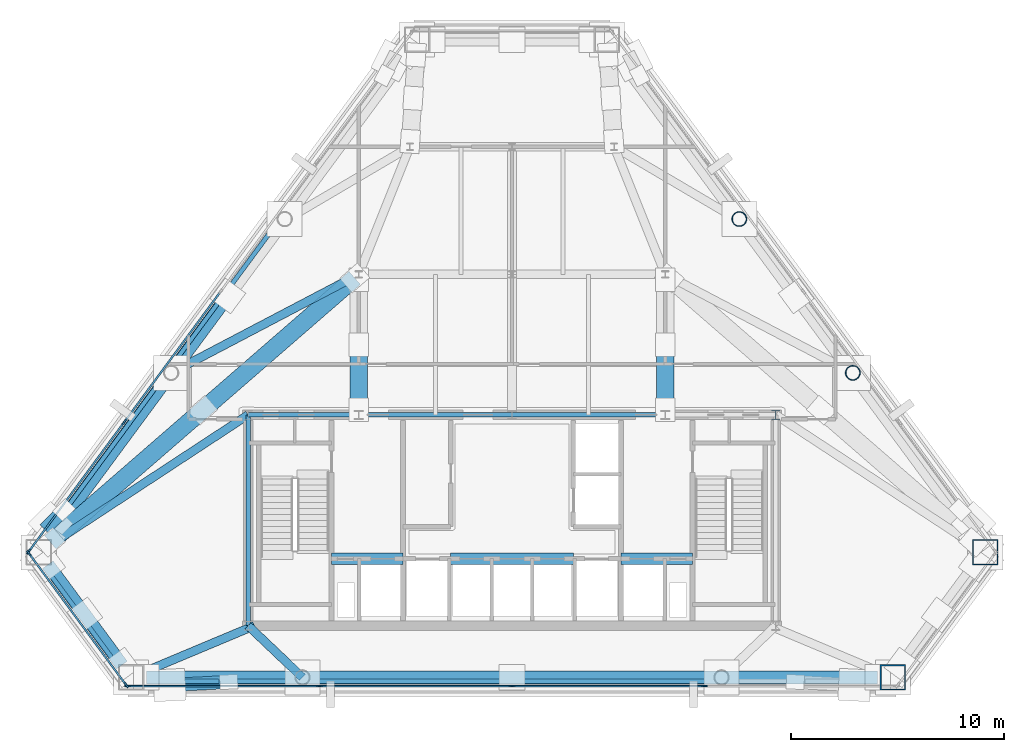
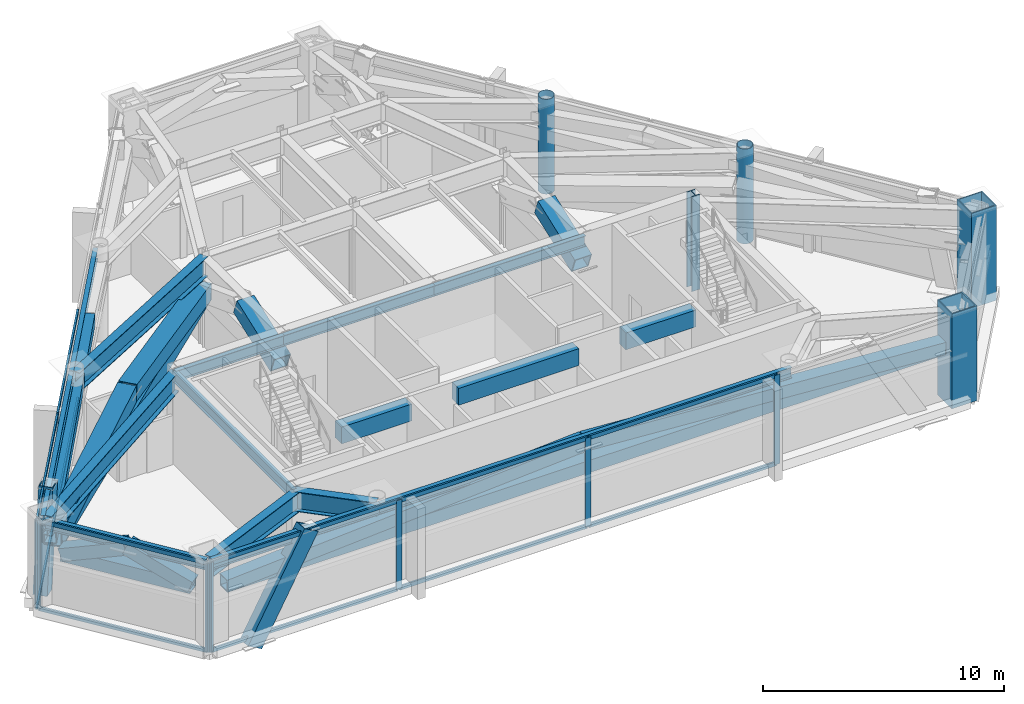
# One storey, part 2 of 10: 34 members, 16 beams, 5 columns, 3 elements without a shape of their own.
"""IFC4 building model written with IfcOpenShell, lengths in metres."""

from ifc_helpers import new_model, si_unit, direction, frame, origin, origin_2d, place, context, subcontext, project, spatial, rectangle, hollow_rectangle, hollow_circle, i_section, extrude, material, layer, layer_set, material_profile, profile_set, type_object, element, aggregate, save


model = new_model("IFC4")

# Units and contexts
model_context = context("Model", 3, precision=1e-05, world=origin(), true_north=direction((0.0, 1.0)))
body_context = subcontext(model_context, "Body", "Model", "MODEL_VIEW")
ifc_project = project(units=[si_unit("LENGTHUNIT", "METRE"), si_unit("AREAUNIT", "SQUARE_METRE"), si_unit("VOLUMEUNIT", "CUBIC_METRE"), si_unit("PLANEANGLEUNIT", "RADIAN"), si_unit("MASSUNIT", "GRAM", prefix="KILO")], contexts=[model_context])

# Site, building, storey
site_placement = place(None, origin())
site = spatial("IfcSite", under=ifc_project, at=site_placement, CompositionType="ELEMENT")
building_placement = place(site_placement, origin())
building = spatial("IfcBuilding", under=site, at=building_placement, Name="Talgorran Terracotta Tower", CompositionType="ELEMENT")
storey_placement = place(building_placement, frame((0.0, 0.0, 168.89990234375)))
storey = spatial("IfcBuildingStorey", under=building, at=storey_placement, Name="L44", CompositionType="ELEMENT", Elevation=168.89990234375)

# Columns
ifc_material_1 = material(Name="Steel S355 (300PLUS)", Category="steel")
ifc_material_profile_1 = material_profile(ifc_material_1, i_section(OverallWidth=0.39990234375, OverallDepth=0.43994140625, WebThickness=0.028076171875, FlangeThickness=0.0400390625, at=origin_2d()), Name="400WC328")
ifc_profile_set_1 = profile_set([ifc_material_profile_1], Name="Steel S355 (300PLUS)")
column_type_1 = type_object("IfcColumnType", Name="COL_400WC328", PredefinedType="COLUMN", material=ifc_profile_set_1)
column_placement = place(storey_placement, frame((12.39990234375, -4.199951171875, 0.0), z_axis=(0.0, 0.0, 1.0), x_axis=(1.0, 0.0, 0.0)))
element("IfcColumn", 1, at=column_placement, inside=storey, type_object=column_type_1, Name="L44 Core Boundary Column CC3", PredefinedType="COLUMN", context=body_context, shape_type="SweptSolid", body=[
    extrude(i_section(OverallWidth=0.39990234375, OverallDepth=0.43994140625, WebThickness=0.028076171875, FlangeThickness=0.0400390625, at=origin_2d()), origin(), (0.0, 0.0, 1.0), 4.800048828125),
])
ifc_material_2 = material(Name="Steel Grade 350 (350L0)", Category="steel")
ifc_material_profile_2 = material_profile(ifc_material_2, hollow_rectangle(XDim=1.199951171875, YDim=1.199951171875, WallThickness=0.054931640625, at=origin_2d()), Name="CFT1200X1200X55")
ifc_profile_set_2 = profile_set([ifc_material_profile_2], Name="Steel Grade 350 (350L0)")
column_type_2 = type_object("IfcColumnType", Name="COL_CFT_1200", PredefinedType="COLUMN", material=ifc_profile_set_2)
for number, where, z_axis, x_axis, name in (
    (2, (17.898193359375, -16.530029296875, 0.0), (0.0, 0.0, 1.0), (1.0, 0.0, 0.0), "L44 Corner CFT Mega-Column MC3"),
    (3, (22.234130859375, -10.654541015625, 0.0), (0.0, 0.0, 1.0), (1.0, 0.0, 0.0), "L44 Corner CFT Mega-Column MC4"),
):
    element("IfcColumn", number, at=place(storey_placement, frame(where, z_axis=z_axis, x_axis=x_axis)), inside=storey, type_object=column_type_2, Name=name, PredefinedType="COLUMN", context=body_context, shape_type="SweptSolid", body=[
        extrude(hollow_rectangle(XDim=1.199951171875, YDim=1.199951171875, WallThickness=0.054931640625, at=origin_2d()), origin(), (0.0, 0.0, 1.0), 4.800048828125),
    ])
ifc_material_profile_3 = material_profile(ifc_material_2, hollow_circle(Radius=0.35009765625, WallThickness=0.030029296875, at=origin_2d()), Name="CHS700X30")
ifc_profile_set_3 = profile_set([ifc_material_profile_3], Name="Steel Grade 350 (350L0)")
column_type_3 = type_object("IfcColumnType", Name="COL_CHS_700", PredefinedType="COLUMN", material=ifc_profile_set_3)
for number, where, z_axis, x_axis, name in (
    (4, (16.01220703125, -2.223388671875, 0.0), (0.0, 0.0, 1.0), (1.0, 0.0, 0.0), "L44 Facet Perimeter Column FC3"),
    (5, (10.67919921875, 5.00341796875, 0.0), (0.0, 0.0, 1.0), (1.0, 0.0, 0.0), "L44 Facet Perimeter Column FC4"),
):
    element("IfcColumn", number, at=place(storey_placement, frame(where, z_axis=z_axis, x_axis=x_axis)), inside=storey, type_object=column_type_3, Name=name, PredefinedType="COLUMN", context=body_context, shape_type="SweptSolid", body=[
        extrude(hollow_circle(Radius=0.35009765625, WallThickness=0.030029296875, at=origin_2d()), origin(), (0.0, 0.0, 1.0), 4.800048828125),
    ])

# Beams
ifc_material_profile_4 = material_profile(ifc_material_2, i_section(OverallWidth=0.39990234375, OverallDepth=1.0, WebThickness=0.01611328125, FlangeThickness=0.031005859375, at=origin_2d()), Name="1000WB296")
ifc_profile_set_4 = profile_set([ifc_material_profile_4], Name="Steel Grade 350 (350L0)")
beam_type_1 = type_object("IfcBeamType", Name="BM_1000WB296", PredefinedType="BEAM", material=ifc_profile_set_4)
beam_1_placement = place(storey_placement, frame((-9.843994140625, -16.530029296875, 4.02001953125), z_axis=(-0.724741849636, 0.689020501426, 0.0), x_axis=(-0.689020501426, -0.724741849636, 0.0)))
element("IfcBeam", 6, at=beam_1_placement, inside=storey, type_object=beam_type_1, Name="L44 South-West Core Tie Beam", PredefinedType="BEAM", context=body_context, shape_type="SweptSolid", body=[
    extrude(i_section(OverallWidth=0.39990234375, OverallDepth=1.0, WebThickness=0.01611328125, FlangeThickness=0.031005859375, at=origin_2d()), origin(), (0.0, 0.0, 1.0), 3.526611328125),
])
beam_2_placement = place(storey_placement, frame((-17.898193359375, -16.530029296875, 4.02001953125), z_axis=(0.922281031819, 0.386519984408, 0.0), x_axis=(-0.386519984408, 0.922281031819, 0.0)))
element("IfcBeam", 7, at=beam_2_placement, inside=storey, type_object=beam_type_1, Name="L44 Perimeter Step Girder 2", PredefinedType="BEAM", context=body_context, shape_type="SweptSolid", body=[
    extrude(i_section(OverallWidth=0.39990234375, OverallDepth=1.0, WebThickness=0.01611328125, FlangeThickness=0.031005859375, at=origin_2d()), origin(), (0.0, 0.0, 1.0), 6.28662109375),
])
beam_3_placement = place(storey_placement, frame((-7.199951171875, 2.39990234375, 4.02001953125), z_axis=(-0.885527866822, -0.464586264414, 0.0), x_axis=(0.464586264414, -0.885527866822, 0.0)))
element("IfcBeam", 8, at=beam_3_placement, inside=storey, type_object=beam_type_1, Name="L44 Floor Girder G06", PredefinedType="BEAM", context=body_context, shape_type="SweptSolid", body=[
    extrude(i_section(OverallWidth=0.39990234375, OverallDepth=1.0, WebThickness=0.01611328125, FlangeThickness=0.031005859375, at=origin_2d()), origin(), (0.0, 0.0, 1.0), 9.951416015625),
])
beam_4_placement = place(storey_placement, frame((-12.39990234375, -4.199951171875, 4.02001953125), z_axis=(-0.836013696093, -0.548708574696, 0.0), x_axis=(0.548708574696, -0.836013696093, 0.0)))
element("IfcBeam", 9, at=beam_4_placement, inside=storey, type_object=beam_type_1, Name="L44 Floor Girder G17", PredefinedType="BEAM", context=body_context, shape_type="SweptSolid", body=[
    extrude(i_section(OverallWidth=0.39990234375, OverallDepth=1.0, WebThickness=0.01611328125, FlangeThickness=0.031005859375, at=origin_2d()), origin(), (0.0, 0.0, 1.0), 11.76318359375),
])
ifc_material_3 = material(Name="Concrete C50/60", Category="concrete")
ifc_material_profile_5 = material_profile(ifc_material_3, rectangle(XDim=0.550048828125, YDim=0.85009765625, at=origin_2d()), Name="RCCB550X850")
ifc_profile_set_5 = profile_set([ifc_material_profile_5], Name="Concrete C50/60")
beam_type_2 = type_object("IfcBeamType", Name="BM_CB_550X850", PredefinedType="LINTEL", material=ifc_profile_set_5)
beam_5_placement = place(storey_placement, frame((-8.47998046875, -10.949951171875, 4.09521484375), z_axis=(1.0, 0.0, 0.0), x_axis=(0.0, 1.0, 0.0)))
element("IfcBeam", 10, at=beam_5_placement, inside=storey, type_object=beam_type_2, Name="L44 Core Shear-Wall Coupling Beam CB1", PredefinedType="LINTEL", context=body_context, shape_type="SweptSolid", body=[
    extrude(rectangle(XDim=0.550048828125, YDim=0.85009765625, at=origin_2d()), origin(), (0.0, 0.0, 1.0), 3.35986328125),
])
beam_6_placement = place(storey_placement, frame((-2.8798828125, -10.949951171875, 4.09521484375), z_axis=(1.0, 0.0, 0.0), x_axis=(0.0, 1.0, 0.0)))
element("IfcBeam", 11, at=beam_6_placement, inside=storey, type_object=beam_type_2, Name="L44 Core Shear-Wall Coupling Beam CB2", PredefinedType="LINTEL", context=body_context, shape_type="SweptSolid", body=[
    extrude(rectangle(XDim=0.550048828125, YDim=0.85009765625, at=origin_2d()), origin(), (0.0, 0.0, 1.0), 5.759765625),
])
beam_7_placement = place(storey_placement, frame((5.1201171875, -10.949951171875, 4.09521484375), z_axis=(1.0, 0.0, 0.0), x_axis=(0.0, 1.0, 0.0)))
element("IfcBeam", 12, at=beam_7_placement, inside=storey, type_object=beam_type_2, Name="L44 Core Shear-Wall Coupling Beam CB3", PredefinedType="LINTEL", context=body_context, shape_type="SweptSolid", body=[
    extrude(rectangle(XDim=0.550048828125, YDim=0.85009765625, at=origin_2d()), origin(), (0.0, 0.0, 1.0), 3.35986328125),
])
ifc_material_profile_6 = material_profile(ifc_material_1, i_section(OverallWidth=0.209228515625, OverallDepth=0.532958984375, WebThickness=0.01025390625, FlangeThickness=0.015625, at=origin_2d()), Name="530UB92.4")
ifc_profile_set_6 = profile_set([ifc_material_profile_6], Name="Steel S355 (300PLUS)")
beam_type_3 = type_object("IfcBeamType", Name="BM_SP_530UB92", PredefinedType="SPANDREL", material=ifc_profile_set_6)
beam_8_placement = place(storey_placement, frame((-22.37890625, -10.761474609375, 4.253662109375), z_axis=(0.593765719161, -0.804637974961, 0.0), x_axis=(0.804637974961, 0.593765719161, 0.0)))
element("IfcBeam", 13, at=beam_8_placement, inside=storey, type_object=beam_type_3, Name="L44 Perimeter Spandrel Beam MC1-MC2", PredefinedType="SPANDREL", context=body_context, shape_type="SweptSolid", body=[
    extrude(i_section(OverallWidth=0.209228515625, OverallDepth=0.532958984375, WebThickness=0.01025390625, FlangeThickness=0.015625, at=origin_2d()), origin(), (0.0, 0.0, 1.0), 7.302001953125),
])
beam_9_placement = place(storey_placement, frame((-17.898193359375, -16.7099609375, 4.253662109375), z_axis=(1.0, 0.0, 0.0), x_axis=(0.0, 1.0, 0.0)))
element("IfcBeam", 14, at=beam_9_placement, inside=storey, type_object=beam_type_3, Name="L44 Perimeter Spandrel Beam MC2-FC1", PredefinedType="SPANDREL", context=body_context, shape_type="SweptSolid", body=[
    extrude(i_section(OverallWidth=0.209228515625, OverallDepth=0.532958984375, WebThickness=0.01025390625, FlangeThickness=0.015625, at=origin_2d()), origin(), (0.0, 0.0, 1.0), 8.05419921875),
])
beam_10_placement = place(storey_placement, frame((-9.843994140625, -16.7099609375, 4.253662109375), z_axis=(1.0, 0.0, 0.0), x_axis=(0.0, 1.0, 0.0)))
element("IfcBeam", 15, at=beam_10_placement, inside=storey, type_object=beam_type_3, Name="L44 Perimeter Spandrel Beam FC1-FC2", PredefinedType="SPANDREL", context=body_context, shape_type="SweptSolid", body=[
    extrude(i_section(OverallWidth=0.209228515625, OverallDepth=0.532958984375, WebThickness=0.01025390625, FlangeThickness=0.015625, at=origin_2d()), origin(), (0.0, 0.0, 1.0), 19.68798828125),
])
beam_11_placement = place(storey_placement, frame((-10.823974609375, 5.1103515625, 4.253662109375), z_axis=(-0.593775624387, -0.804630665513, 0.0), x_axis=(0.804630665513, -0.593775624387, 0.0)))
element("IfcBeam", 16, at=beam_11_placement, inside=storey, type_object=beam_type_3, Name="L44 Perimeter Spandrel Beam FC5-FC6", PredefinedType="SPANDREL", context=body_context, shape_type="SweptSolid", body=[
    extrude(i_section(OverallWidth=0.209228515625, OverallDepth=0.532958984375, WebThickness=0.01025390625, FlangeThickness=0.015625, at=origin_2d()), origin(), (0.0, 0.0, 1.0), 8.9814453125),
])
beam_12_placement = place(storey_placement, frame((-16.156982421875, -2.116455078125, 4.253662109375), z_axis=(-0.593786218479, -0.804622847516, 0.0), x_axis=(0.804622847516, -0.593786218479, 0.0)))
element("IfcBeam", 17, at=beam_12_placement, inside=storey, type_object=beam_type_3, Name="L44 Perimeter Spandrel Beam FC6-MC1", PredefinedType="SPANDREL", context=body_context, shape_type="SweptSolid", body=[
    extrude(i_section(OverallWidth=0.209228515625, OverallDepth=0.532958984375, WebThickness=0.01025390625, FlangeThickness=0.015625, at=origin_2d()), origin(), (0.0, 0.0, 1.0), 10.478271484375),
])
beam_13_placement = place(storey_placement, frame((-12.39990234375, -14.10009765625, 4.253662109375), z_axis=(0.0, 1.0, 0.0), x_axis=(-1.0, 0.0, 0.0)))
element("IfcBeam", 18, at=beam_13_placement, inside=storey, type_object=beam_type_3, Name="L44 Core Frame Beam CFW", PredefinedType="SPANDREL", context=body_context, shape_type="SweptSolid", body=[
    extrude(i_section(OverallWidth=0.209228515625, OverallDepth=0.532958984375, WebThickness=0.01025390625, FlangeThickness=0.015625, at=origin_2d()), origin(), (0.0, 0.0, 1.0), 9.900146484375),
])
beam_14_placement = place(storey_placement, frame((-12.39990234375, -4.199951171875, 4.253662109375), z_axis=(1.0, 0.0, 0.0), x_axis=(0.0, 1.0, 0.0)))
element("IfcBeam", 19, at=beam_14_placement, inside=storey, type_object=beam_type_3, Name="L44 Core Frame Beam CFN1", PredefinedType="SPANDREL", context=body_context, shape_type="SweptSolid", body=[
    extrude(i_section(OverallWidth=0.209228515625, OverallDepth=0.532958984375, WebThickness=0.01025390625, FlangeThickness=0.015625, at=origin_2d()), origin(), (0.0, 0.0, 1.0), 5.199951171875),
])
for number, where, z_axis, x_axis, name in (
    (20, (-7.199951171875, -4.199951171875, 4.253662109375), (1.0, 0.0, 0.0), (0.0, 1.0, 0.0), "L44 Core Frame Beam CFN2"),
    (21, (0.0, -4.199951171875, 4.253662109375), (1.0, 0.0, 0.0), (0.0, 1.0, 0.0), "L44 Core Frame Beam CFN3"),
):
    element("IfcBeam", number, at=place(storey_placement, frame(where, z_axis=z_axis, x_axis=x_axis)), inside=storey, type_object=beam_type_3, Name=name, PredefinedType="SPANDREL", context=body_context, shape_type="SweptSolid", body=[
        extrude(i_section(OverallWidth=0.209228515625, OverallDepth=0.532958984375, WebThickness=0.01025390625, FlangeThickness=0.015625, at=origin_2d()), origin(), (0.0, 0.0, 1.0), 7.199951171875),
    ])

# Members
ifc_material_profile_7 = material_profile(ifc_material_2, hollow_rectangle(XDim=0.6201171875, YDim=0.6201171875, WallThickness=0.034912109375, at=origin_2d()), Name="WBOX620X620X35")
ifc_profile_set_7 = profile_set([ifc_material_profile_7], Name="Steel Grade 350 (350L0)")
member_type_1 = type_object("IfcMemberType", Name="MB_BELT_CHORD", PredefinedType="CHORD", material=ifc_profile_set_7)
member_1_placement = place(storey_placement, frame((-21.806640625, -11.23388671875, 2.920166015625), z_axis=(0.593798376425, -0.804613875195, 0.0), x_axis=(0.804613875195, 0.593798376425, 0.0)))
element("IfcMember", 22, at=member_1_placement, inside=storey, type_object=member_type_1, Name="L44 Belt Truss Chord BT1", PredefinedType="CHORD", context=body_context, shape_type="SweptSolid", body=[
    extrude(hollow_rectangle(XDim=0.6201171875, YDim=0.6201171875, WallThickness=0.034912109375, at=origin_2d()), origin(), (0.0, 0.0, 1.0), 5.8623046875),
])
member_2_placement = place(storey_placement, frame((-17.17822265625, -16.530029296875, 2.920166015625), z_axis=(1.0, 0.0, 0.0), x_axis=(0.0, 1.0, 0.0)))
element("IfcMember", 23, at=member_2_placement, inside=storey, type_object=member_type_1, Name="L44 Belt Truss Chord BT2", PredefinedType="CHORD", context=body_context, shape_type="SweptSolid", body=[
    extrude(hollow_rectangle(XDim=0.6201171875, YDim=0.6201171875, WallThickness=0.034912109375, at=origin_2d()), origin(), (0.0, 0.0, 1.0), 34.3564453125),
])
ifc_material_profile_8 = material_profile(ifc_material_2, hollow_rectangle(XDim=0.6201171875, YDim=0.6201171875, WallThickness=0.034912109375, at=origin_2d()), Name="WBOX620X620X35")
ifc_profile_set_8 = profile_set([ifc_material_profile_8], Name="Steel Grade 350 (350L0)")
member_type_2 = type_object("IfcMemberType", Name="MB_BELT_DIAG", PredefinedType="BRACE", material=ifc_profile_set_8)
for number, where, z_axis, x_axis, name in (
    (24, (-21.806640625, -11.23388671875, 2.920166015625), (0.553421399322, -0.749901910148, 0.362452589905), (0.804613875195, 0.593798376425, 0.0), "L44 Belt Truss Diagonal BT1-1"),
    (25, (-20.066162109375, -13.59228515625, 4.06005859375), (0.553421399322, -0.749901910148, -0.362452589905), (0.804613875195, 0.593798376425, 0.0), "L44 Belt Truss Diagonal BT1-2"),
):
    element("IfcMember", number, at=place(storey_placement, frame(where, z_axis=z_axis, x_axis=x_axis)), inside=storey, type_object=member_type_2, Name=name, PredefinedType="BRACE", context=body_context, shape_type="SweptSolid", body=[
        extrude(hollow_rectangle(XDim=0.6201171875, YDim=0.6201171875, WallThickness=0.034912109375, at=origin_2d()), origin(), (0.0, 0.0, 1.0), 3.14501953125),
    ])
for number, where, z_axis, x_axis, name in (
    (26, (-17.17822265625, -16.530029296875, 2.920166015625), (0.997805628958, 0.0, 0.066211228811), (0.0, 1.0, 0.0), "L44 Belt Truss Diagonal BT2-1"),
    (27, (0.0, -16.530029296875, 4.06005859375), (0.997805628958, 0.0, -0.066211228811), (0.0, 1.0, 0.0), "L44 Belt Truss Diagonal BT2-2"),
):
    element("IfcMember", number, at=place(storey_placement, frame(where, z_axis=z_axis, x_axis=x_axis)), inside=storey, type_object=member_type_2, Name=name, PredefinedType="BRACE", context=body_context, shape_type="SweptSolid", body=[
        extrude(hollow_rectangle(XDim=0.6201171875, YDim=0.6201171875, WallThickness=0.034912109375, at=origin_2d()), origin(), (0.0, 0.0, 1.0), 17.216064453125),
    ])
member_3_placement = place(storey_placement, frame((-13.345703125, 1.389892578125, 4.06005859375), z_axis=(-0.591898232911, -0.802058313589, -0.079742983883), x_axis=(0.8046206622, -0.593789179728, 0.0)))
element("IfcMember", 28, at=member_3_placement, inside=storey, type_object=member_type_2, Name="L44 Belt Truss Diagonal BT6-2", PredefinedType="BRACE", context=body_context, shape_type="SweptSolid", body=[
    extrude(hollow_rectangle(XDim=0.6201171875, YDim=0.6201171875, WallThickness=0.034912109375, at=origin_2d()), origin(), (0.0, 0.0, 1.0), 14.294677734375),
])
ifc_material_profile_9 = material_profile(ifc_material_2, hollow_rectangle(XDim=0.6201171875, YDim=0.780029296875, WallThickness=0.0419921875, at=origin_2d()), Name="WBOX780X620X42")
ifc_profile_set_9 = profile_set([ifc_material_profile_9], Name="Steel Grade 350 (350L0)")
member_type_3 = type_object("IfcMemberType", Name="MB_MEGA_780", PredefinedType="BRACE", material=ifc_profile_set_9)
member_4_placement = place(storey_placement, frame((-16.09130859375, -16.889892578125, -0.33984375), z_axis=(0.494970283775, 0.025653550619, 0.868531124094), x_axis=(-0.051758995569, 0.998659604859, 0.0)))
element("IfcMember", 29, at=member_4_placement, inside=storey, type_object=member_type_3, Name="L44 Exterior Face Mega-Brace MB-2 (SWF)", PredefinedType="BRACE", context=body_context, shape_type="SweptSolid", body=[
    extrude(hollow_rectangle(XDim=0.6201171875, YDim=0.780029296875, WallThickness=0.0419921875, at=origin_2d()), origin(), (0.0, 0.0, 1.0), 5.62451171875),
])
member_5_placement = place(storey_placement, frame((-21.689208984375, -9.309814453125, -0.33984375), z_axis=(0.129811026084, 0.128975754531, 0.983114618063), x_axis=(-0.704820821063, 0.709385374952, 0.0)))
element("IfcMember", 30, at=member_5_placement, inside=storey, type_object=member_type_3, Name="L44 Exterior Face Mega-Brace MB-2 (NWL)", PredefinedType="BRACE", context=body_context, shape_type="SweptSolid", body=[
    extrude(hollow_rectangle(XDim=0.6201171875, YDim=0.780029296875, WallThickness=0.0419921875, at=origin_2d()), origin(), (0.0, 0.0, 1.0), 4.968994140625),
])
ifc_material_profile_10 = material_profile(ifc_material_2, hollow_rectangle(XDim=0.820068359375, YDim=0.820068359375, WallThickness=0.044921875, at=origin_2d()), Name="WBOX820X820X45")
ifc_profile_set_10 = profile_set([ifc_material_profile_10], Name="Steel Grade 350 (350L0)")
member_type_4 = type_object("IfcMemberType", Name="MB_OUT_CHORD", PredefinedType="CHORD", material=ifc_profile_set_10)
member_6_placement = place(storey_placement, frame((-7.388916015625, 2.236083984375, 2.920166015625), z_axis=(-0.755060153862, -0.655655522397, 0.0), x_axis=(0.655655522397, -0.755060153862, 0.0)))
element("IfcMember", 31, at=member_6_placement, inside=storey, type_object=member_type_4, Name="L44 Outrigger Bottom Chord OR3", PredefinedType="CHORD", context=body_context, shape_type="SweptSolid", body=[
    extrude(hollow_rectangle(XDim=0.820068359375, YDim=0.820068359375, WallThickness=0.044921875, at=origin_2d()), origin(), (0.0, 0.0, 1.0), 18.94091796875),
])
ifc_material_profile_11 = material_profile(ifc_material_2, hollow_rectangle(XDim=0.820068359375, YDim=0.820068359375, WallThickness=0.044921875, at=origin_2d()), Name="WBOX820X820X45")
ifc_profile_set_11 = profile_set([ifc_material_profile_11], Name="Steel Grade 350 (350L0)")
member_type_5 = type_object("IfcMemberType", Name="MB_OUT_DIAG", PredefinedType="BRACE", material=ifc_profile_set_11)
for number, where, z_axis, x_axis, name in (
    (32, (-7.199951171875, -3.949951171875, 2.920166015625), (0.0, 0.936719927838, 0.350079672062), (-1.0, 0.0, 0.0), "L44 Outrigger Web Diagonal OR1-1"),
    (33, (7.199951171875, -3.949951171875, 2.920166015625), (0.0, 0.936719927838, 0.350079672062), (-1.0, 0.0, 0.0), "L44 Outrigger Web Diagonal OR2-1"),
):
    element("IfcMember", number, at=place(storey_placement, frame(where, z_axis=z_axis, x_axis=x_axis)), inside=storey, type_object=member_type_5, Name=name, PredefinedType="BRACE", context=body_context, shape_type="SweptSolid", body=[
        extrude(hollow_rectangle(XDim=0.820068359375, YDim=0.820068359375, WallThickness=0.044921875, at=origin_2d()), origin(), (0.0, 0.0, 1.0), 3.256103515625),
    ])
member_7_placement = place(storey_placement, frame((-7.388916015625, 2.236083984375, 2.920166015625), z_axis=(-0.749650127222, -0.650956047856, 0.119502763631), x_axis=(0.655654554931, -0.755060993959, 0.0)))
element("IfcMember", 34, at=member_7_placement, inside=storey, type_object=member_type_5, Name="L44 Outrigger Web Diagonal OR3-1", PredefinedType="BRACE", context=body_context, shape_type="SweptSolid", body=[
    extrude(hollow_rectangle(XDim=0.820068359375, YDim=0.820068359375, WallThickness=0.044921875, at=origin_2d()), origin(), (0.0, 0.0, 1.0), 9.53857421875),
])
member_8_placement = place(storey_placement, frame((-14.53955078125, -3.97314453125, 4.06005859375), z_axis=(-0.749648848418, -0.650958306953, -0.119498479797), x_axis=(0.655656489827, -0.755059313794, 0.0)))
element("IfcMember", 35, at=member_8_placement, inside=storey, type_object=member_type_5, Name="L44 Outrigger Web Diagonal OR3-2", PredefinedType="BRACE", context=body_context, shape_type="SweptSolid", body=[
    extrude(hollow_rectangle(XDim=0.820068359375, YDim=0.820068359375, WallThickness=0.044921875, at=origin_2d()), origin(), (0.0, 0.0, 1.0), 9.5390625),
])

# Curtain wall, members
ifc_material_4 = material(Name="Anodised Aluminium Louvre", Category="aluminium")
ifc_layer = layer(ifc_material_4, 0.25, Name="CW_SYS4_LOUVRE")
ifc_layer_set = layer_set([ifc_layer], Name="Anodised Aluminium Louvre")
curtain_wall_type = type_object("IfcCurtainWallType", Name="CW_SYS4_LOUVRE", PredefinedType="NOTDEFINED", material=ifc_layer_set)
curtain_wall_1_placement = place(storey_placement, origin())
curtain_wall_1 = element("IfcCurtainWall", 36, at=curtain_wall_1_placement, inside=storey, type_object=curtain_wall_type, Name="CW-L44-F0", PredefinedType="NOTDEFINED")
ifc_material_5 = material(Name="Architectural Aluminium 6063-T6", Category="aluminium")
ifc_material_profile_12 = material_profile(ifc_material_5, rectangle(XDim=0.0849609375, YDim=0.260009765625, at=origin_2d()), Name="CWM85X260")
ifc_profile_set_12 = profile_set([ifc_material_profile_12], Name="Architectural Aluminium 6063-T6")
member_type_6 = type_object("IfcMemberType", Name="MUL_85X260", PredefinedType="MULLION", material=ifc_profile_set_12)
member_9_placement = place(storey_placement, frame((-22.7060546875, -10.688720703125, 0.0), z_axis=(0.0, 0.0, 1.0), x_axis=(0.804619586401, 0.593790637498, 0.0)))
member_9 = element("IfcMember", 37, at=member_9_placement, type_object=member_type_6, Name="CW-L44-0 mullion 1", PredefinedType="MULLION", context=body_context, shape_type="SweptSolid", body=[
    extrude(rectangle(XDim=0.0849609375, YDim=0.260009765625, at=origin_2d()), origin(), (0.0, 0.0, 1.0), 4.52001953125),
])
member_10_placement = place(storey_placement, frame((-18.12548828125, -16.895751953125, 0.0), z_axis=(0.0, 0.0, 1.0), x_axis=(0.804619586401, 0.593790637498, 0.0)))
member_10 = element("IfcMember", 38, at=member_10_placement, type_object=member_type_6, Name="CW-L44-0 mullion 2", PredefinedType="MULLION", context=body_context, shape_type="SweptSolid", body=[
    extrude(rectangle(XDim=0.0849609375, YDim=0.260009765625, at=origin_2d()), origin(), (0.0, 0.0, 1.0), 4.52001953125),
])

curtain_wall_2_placement = place(storey_placement, origin())
curtain_wall_2 = element("IfcCurtainWall", 39, at=curtain_wall_2_placement, inside=storey, type_object=curtain_wall_type, Name="CW-L44-F1", PredefinedType="NOTDEFINED")
member_11_placement = place(storey_placement, frame((-18.0576171875, -16.929931640625, 0.0), z_axis=(0.0, 0.0, 1.0), x_axis=(0.0, 1.0, 0.0)))
member_11 = element("IfcMember", 40, at=member_11_placement, type_object=member_type_6, Name="CW-L44-1 mullion 1", PredefinedType="MULLION", context=body_context, shape_type="SweptSolid", body=[
    extrude(rectangle(XDim=0.0849609375, YDim=0.260009765625, at=origin_2d()), origin(), (0.0, 0.0, 1.0), 4.52001953125),
])
member_12_placement = place(storey_placement, frame((-9.050048828125, -16.929931640625, 0.0), z_axis=(0.0, 0.0, 1.0), x_axis=(0.0, 1.0, 0.0)))
member_12 = element("IfcMember", 41, at=member_12_placement, type_object=member_type_6, Name="CW-L44-1 mullion 2", PredefinedType="MULLION", context=body_context, shape_type="SweptSolid", body=[
    extrude(rectangle(XDim=0.0849609375, YDim=0.260009765625, at=origin_2d()), origin(), (0.0, 0.0, 1.0), 4.52001953125),
])
member_13_placement = place(storey_placement, frame((0.0, -16.929931640625, 0.0), z_axis=(0.0, 0.0, 1.0), x_axis=(0.0, 1.0, 0.0)))
member_13 = element("IfcMember", 42, at=member_13_placement, type_object=member_type_6, Name="CW-L44-1 mullion 3", PredefinedType="MULLION", context=body_context, shape_type="SweptSolid", body=[
    extrude(rectangle(XDim=0.0849609375, YDim=0.260009765625, at=origin_2d()), origin(), (0.0, 0.0, 1.0), 4.52001953125),
])
member_14_placement = place(storey_placement, frame((9.050048828125, -16.929931640625, 0.0), z_axis=(0.0, 0.0, 1.0), x_axis=(0.0, 1.0, 0.0)))
member_14 = element("IfcMember", 43, at=member_14_placement, type_object=member_type_6, Name="CW-L44-1 mullion 4", PredefinedType="MULLION", context=body_context, shape_type="SweptSolid", body=[
    extrude(rectangle(XDim=0.0849609375, YDim=0.260009765625, at=origin_2d()), origin(), (0.0, 0.0, 1.0), 4.52001953125),
])

curtain_wall_3_placement = place(storey_placement, origin())
curtain_wall_3 = element("IfcCurtainWall", 44, at=curtain_wall_3_placement, inside=storey, type_object=curtain_wall_type, Name="CW-L44-F5", PredefinedType="NOTDEFINED")
member_15_placement = place(storey_placement, frame((-18.213134765625, -4.5322265625, 0.0), z_axis=(0.0, 0.0, 1.0), x_axis=(0.804622144669, -0.593787170886, 0.0)))
member_15 = element("IfcMember", 45, at=member_15_placement, type_object=member_type_6, Name="CW-L44-5 mullion 4", PredefinedType="MULLION", context=body_context, shape_type="SweptSolid", body=[
    extrude(rectangle(XDim=0.0849609375, YDim=0.260009765625, at=origin_2d()), origin(), (0.0, 0.0, 1.0), 4.52001953125),
])
member_16_placement = place(storey_placement, frame((-22.7060546875, -10.620361328125, 0.0), z_axis=(0.0, 0.0, 1.0), x_axis=(0.804622144669, -0.593787170886, 0.0)))
member_16 = element("IfcMember", 46, at=member_16_placement, type_object=member_type_6, Name="CW-L44-5 mullion 5", PredefinedType="MULLION", context=body_context, shape_type="SweptSolid", body=[
    extrude(rectangle(XDim=0.0849609375, YDim=0.260009765625, at=origin_2d()), origin(), (0.0, 0.0, 1.0), 4.52001953125),
])

# Member
ifc_material_profile_13 = material_profile(ifc_material_5, rectangle(XDim=0.0849609375, YDim=0.2099609375, at=origin_2d()), Name="CWT85X210")
ifc_profile_set_13 = profile_set([ifc_material_profile_13], Name="Architectural Aluminium 6063-T6")
member_type_7 = type_object("IfcMemberType", Name="TRN_85X210", PredefinedType="USERDEFINED", material=ifc_profile_set_13)
member_17_placement = place(storey_placement, frame((-22.680908203125, -10.722900390625, 0.04248046875), z_axis=(0.593797055334, -0.804614850147, 0.0), x_axis=(0.804614850147, 0.593797055334, 0.0)))
member_17 = element("IfcMember", 47, at=member_17_placement, type_object=member_type_7, Name="CW-L44-0 transom 1.1", ObjectType="TRANSOM", PredefinedType="USERDEFINED", context=body_context, shape_type="SweptSolid", body=[
    extrude(rectangle(XDim=0.0849609375, YDim=0.2099609375, at=origin_2d()), origin(), (0.0, 0.0, 1.0), 7.62939453125),
])

member_18_placement = place(storey_placement, frame((-22.680908203125, -10.722900390625, 4.4775390625), z_axis=(0.593797055334, -0.804614850147, 0.0), x_axis=(0.804614850147, 0.593797055334, 0.0)))
member_18 = element("IfcMember", 48, at=member_18_placement, type_object=member_type_7, Name="CW-L44-0 transom 1.2", ObjectType="TRANSOM", PredefinedType="USERDEFINED", context=body_context, shape_type="SweptSolid", body=[
    extrude(rectangle(XDim=0.0849609375, YDim=0.2099609375, at=origin_2d()), origin(), (0.0, 0.0, 1.0), 7.62939453125),
])

aggregate(curtain_wall_1, [member_9, member_10, member_17, member_18])

member_19_placement = place(storey_placement, frame((-18.01513671875, -16.929931640625, 0.04248046875), z_axis=(1.0, 0.0, 0.0), x_axis=(0.0, 1.0, 0.0)))
member_19 = element("IfcMember", 49, at=member_19_placement, type_object=member_type_7, Name="CW-L44-1 transom 1.1", ObjectType="TRANSOM", PredefinedType="USERDEFINED", context=body_context, shape_type="SweptSolid", body=[
    extrude(rectangle(XDim=0.0849609375, YDim=0.2099609375, at=origin_2d()), origin(), (0.0, 0.0, 1.0), 8.922607421875),
])

member_20_placement = place(storey_placement, frame((-18.01513671875, -16.929931640625, 4.4775390625), z_axis=(1.0, 0.0, 0.0), x_axis=(0.0, 1.0, 0.0)))
member_20 = element("IfcMember", 50, at=member_20_placement, type_object=member_type_7, Name="CW-L44-1 transom 1.2", ObjectType="TRANSOM", PredefinedType="USERDEFINED", context=body_context, shape_type="SweptSolid", body=[
    extrude(rectangle(XDim=0.0849609375, YDim=0.2099609375, at=origin_2d()), origin(), (0.0, 0.0, 1.0), 8.922607421875),
])

member_21_placement = place(storey_placement, frame((-9.007568359375, -16.929931640625, 0.04248046875), z_axis=(1.0, 0.0, 0.0), x_axis=(0.0, 1.0, 0.0)))
member_21 = element("IfcMember", 51, at=member_21_placement, type_object=member_type_7, Name="CW-L44-1 transom 2.1", ObjectType="TRANSOM", PredefinedType="USERDEFINED", context=body_context, shape_type="SweptSolid", body=[
    extrude(rectangle(XDim=0.0849609375, YDim=0.2099609375, at=origin_2d()), origin(), (0.0, 0.0, 1.0), 8.965087890625),
])

member_22_placement = place(storey_placement, frame((-9.007568359375, -16.929931640625, 4.4775390625), z_axis=(1.0, 0.0, 0.0), x_axis=(0.0, 1.0, 0.0)))
member_22 = element("IfcMember", 52, at=member_22_placement, type_object=member_type_7, Name="CW-L44-1 transom 2.2", ObjectType="TRANSOM", PredefinedType="USERDEFINED", context=body_context, shape_type="SweptSolid", body=[
    extrude(rectangle(XDim=0.0849609375, YDim=0.2099609375, at=origin_2d()), origin(), (0.0, 0.0, 1.0), 8.965087890625),
])

member_23_placement = place(storey_placement, frame((0.04248046875, -16.929931640625, 0.04248046875), z_axis=(1.0, 0.0, 0.0), x_axis=(0.0, 1.0, 0.0)))
member_23 = element("IfcMember", 53, at=member_23_placement, type_object=member_type_7, Name="CW-L44-1 transom 3.1", ObjectType="TRANSOM", PredefinedType="USERDEFINED", context=body_context, shape_type="SweptSolid", body=[
    extrude(rectangle(XDim=0.0849609375, YDim=0.2099609375, at=origin_2d()), origin(), (0.0, 0.0, 1.0), 8.965087890625),
])

member_24_placement = place(storey_placement, frame((0.04248046875, -16.929931640625, 4.4775390625), z_axis=(1.0, 0.0, 0.0), x_axis=(0.0, 1.0, 0.0)))
member_24 = element("IfcMember", 54, at=member_24_placement, type_object=member_type_7, Name="CW-L44-1 transom 3.2", ObjectType="TRANSOM", PredefinedType="USERDEFINED", context=body_context, shape_type="SweptSolid", body=[
    extrude(rectangle(XDim=0.0849609375, YDim=0.2099609375, at=origin_2d()), origin(), (0.0, 0.0, 1.0), 8.965087890625),
])

aggregate(curtain_wall_2, [member_11, member_12, member_13, member_14, member_19, member_20, member_21, member_22, member_23, member_24])

member_25_placement = place(storey_placement, frame((-13.720458984375, 1.555908203125, 0.04248046875), z_axis=(-0.593777775528, -0.804629078079, 0.0), x_axis=(0.804629078079, -0.593777775528, 0.0)))
member_25 = element("IfcMember", 55, at=member_25_placement, type_object=member_type_7, Name="CW-L44-5 transom 3.1", ObjectType="TRANSOM", PredefinedType="USERDEFINED", context=body_context, shape_type="SweptSolid", body=[
    extrude(rectangle(XDim=0.0849609375, YDim=0.2099609375, at=origin_2d()), origin(), (0.0, 0.0, 1.0), 7.52392578125),
])

member_26_placement = place(storey_placement, frame((-13.720458984375, 1.555908203125, 4.4775390625), z_axis=(-0.593777775528, -0.804629078079, 0.0), x_axis=(0.804629078079, -0.593777775528, 0.0)))
member_26 = element("IfcMember", 56, at=member_26_placement, type_object=member_type_7, Name="CW-L44-5 transom 3.2", ObjectType="TRANSOM", PredefinedType="USERDEFINED", context=body_context, shape_type="SweptSolid", body=[
    extrude(rectangle(XDim=0.0849609375, YDim=0.2099609375, at=origin_2d()), origin(), (0.0, 0.0, 1.0), 7.52392578125),
])

member_27_placement = place(storey_placement, frame((-18.238525390625, -4.56640625, 0.04248046875), z_axis=(-0.59378439478, -0.804624193345, 0.0), x_axis=(0.804624193345, -0.59378439478, 0.0)))
member_27 = element("IfcMember", 57, at=member_27_placement, type_object=member_type_7, Name="CW-L44-5 transom 4.1", ObjectType="TRANSOM", PredefinedType="USERDEFINED", context=body_context, shape_type="SweptSolid", body=[
    extrude(rectangle(XDim=0.0849609375, YDim=0.2099609375, at=origin_2d()), origin(), (0.0, 0.0, 1.0), 7.4814453125),
])

member_28_placement = place(storey_placement, frame((-18.238525390625, -4.56640625, 4.4775390625), z_axis=(-0.59378439478, -0.804624193345, 0.0), x_axis=(0.804624193345, -0.59378439478, 0.0)))
member_28 = element("IfcMember", 58, at=member_28_placement, type_object=member_type_7, Name="CW-L44-5 transom 4.2", ObjectType="TRANSOM", PredefinedType="USERDEFINED", context=body_context, shape_type="SweptSolid", body=[
    extrude(rectangle(XDim=0.0849609375, YDim=0.2099609375, at=origin_2d()), origin(), (0.0, 0.0, 1.0), 7.4814453125),
])

aggregate(curtain_wall_3, [member_15, member_16, member_25, member_26, member_27, member_28])

save(model, "model.ifc")
